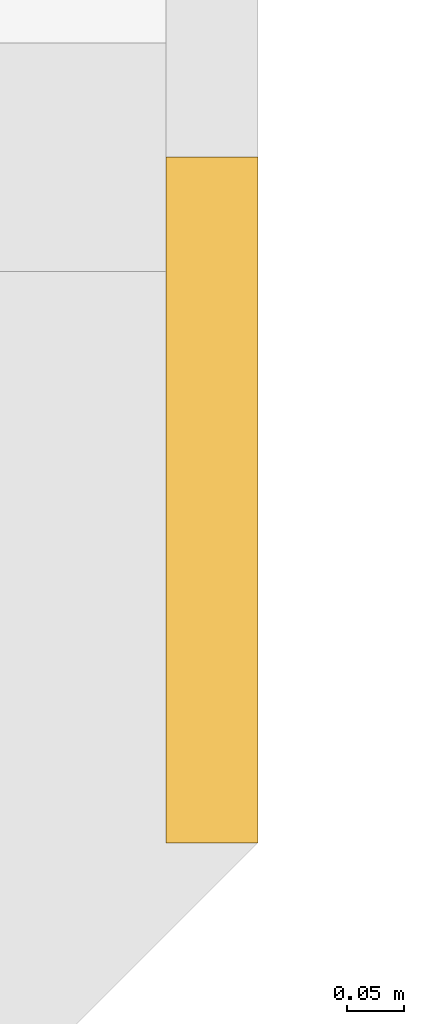
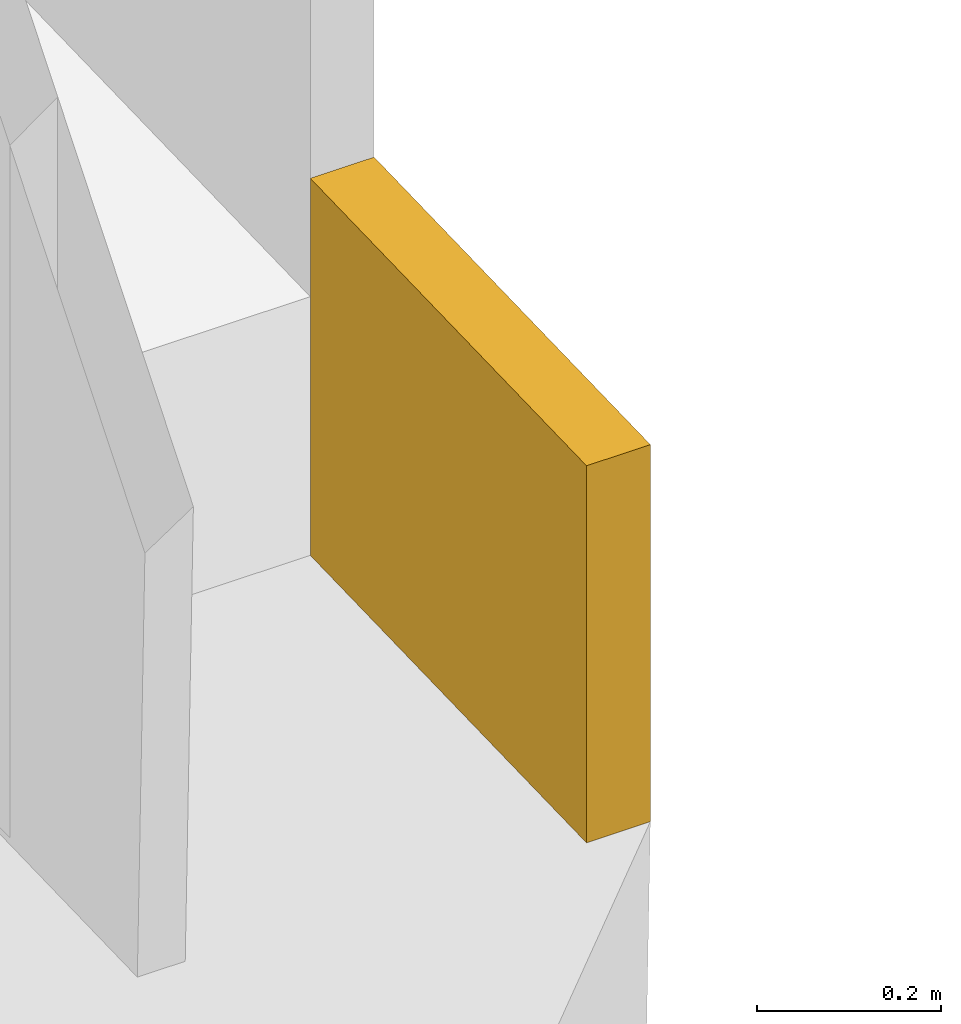
# One storey, part 29 of 29: 1 covering.
"""IFC4 building model written with IfcOpenShell, lengths in metres."""

import ifcopenshell
import ifcopenshell.guid

model = None  # the IFC model being written
_history = None  # IfcOwnerHistory: only IFC2X3 demands one
_inside = {}  # id of a spatial element -> (the spatial element, [elements in it])
_under = {}  # id of a project, library or spatial element -> (it, [spatial elements below it])
_declared = {}  # id of a project -> (the project, [libraries it declares])
_typed = {}  # id of a type object -> (the type object, [elements of that type])
_made_of = {}  # id of a material, layer set ... -> (it, [elements and type objects made of it])


def new_model(schema):
    """Start an empty IFC model of exactly this schema.

    Asked for "IFC4X3", IfcOpenShell would pick the latest addendum, in which some entities
    have other attributes; the version numbers below select the first issue.
    IFC2X3 requires an IfcOwnerHistory on every rooted entity: one is made here for all.
    """
    global model, _history
    if schema == "IFC4X3":
        model = ifcopenshell.file(schema_version=(4, 3, 0, 0))
    else:
        model = ifcopenshell.file(schema=schema)
    _inside.clear()
    _under.clear()
    _declared.clear()
    _typed.clear()
    _made_of.clear()
    _history = None
    if model.schema == "IFC2X3":
        org = make("IfcOrganization", Name="unknown")
        user = make(
            "IfcPersonAndOrganization",
            ThePerson=make("IfcPerson", FamilyName="unknown"),
            TheOrganization=org,
        )
        app = make(
            "IfcApplication",
            ApplicationDeveloper=org,
            Version="unknown",
            ApplicationFullName="unknown",
            ApplicationIdentifier="unknown",
        )
        _history = make(
            "IfcOwnerHistory",
            OwningUser=user,
            OwningApplication=app,
            ChangeAction="ADDED",
            CreationDate=0,
        )
    return model


def make(cls, **values):
    """One entity of the class cls with the attributes given. An attribute that is None is left unset."""
    return model.create_entity(
        cls, **{name: value for name, value in values.items() if value is not None}
    )


def rooted(cls, **values):
    """An entity with a GlobalId (a new one), such as an element, a storey or a relation."""
    return make(cls, GlobalId=ifcopenshell.guid.new(), OwnerHistory=_history, **values)


def si_unit(unit_type, name, prefix=None):
    """IfcSIUnit, for example si_unit("LENGTHUNIT", "METRE", prefix="MILLI")."""
    return make("IfcSIUnit", UnitType=unit_type, Prefix=prefix, Name=name)


def assignment(units):
    """IfcUnitAssignment: the units of a project."""
    return None if units is None else make("IfcUnitAssignment", Units=units)


def point(xyz):
    """IfcCartesianPoint."""
    return None if xyz is None else make("IfcCartesianPoint", Coordinates=xyz)


def direction(xyz):
    """IfcDirection."""
    return None if xyz is None else make("IfcDirection", DirectionRatios=xyz)


def frame(location, z_axis=None, x_axis=None):
    """IfcAxis2Placement3D, a coordinate frame: its origin and axes. An axis left out is left unset."""
    return make(
        "IfcAxis2Placement3D",
        Location=point(location),
        Axis=direction(z_axis),
        RefDirection=direction(x_axis),
    )


def origin():
    """The frame at (0, 0, 0) with its axes left unset."""
    return frame((0.0, 0.0, 0.0))


def place(relative_to, where):
    """IfcLocalPlacement: puts the frame where relative to a parent placement (None: the world)."""
    return make(
        "IfcLocalPlacement", PlacementRelTo=relative_to, RelativePlacement=where
    )


def context(
    kind, dimensions, precision=None, world=None, true_north=None, identifier=None
):
    """IfcGeometricRepresentationContext, for example the 3D "Model" context."""
    return make(
        "IfcGeometricRepresentationContext",
        ContextIdentifier=identifier,
        ContextType=kind,
        CoordinateSpaceDimension=dimensions,
        Precision=precision,
        WorldCoordinateSystem=world,
        TrueNorth=true_north,
    )


def subcontext(parent, identifier, kind, view, scale=None):
    """IfcGeometricRepresentationSubContext, for example "Body" below "Model"."""
    return make(
        "IfcGeometricRepresentationSubContext",
        ContextIdentifier=identifier,
        ContextType=kind,
        ParentContext=parent,
        TargetScale=scale,
        TargetView=view,
    )


def project(units=None, contexts=None):
    """IfcProject with its units and contexts."""
    return rooted(
        "IfcProject",
        Name="project",
        RepresentationContexts=contexts,
        UnitsInContext=assignment(units),
    )


def spatial(cls, under=None, at=None, **own):
    """A site, building, storey or space (cls), placed at a placement, below another one or the project."""
    s = rooted(cls, ObjectPlacement=at, **own)
    if under is not None:
        _under.setdefault(under.id(), (under, []))[1].append(s)
    return s


def polyline(points):
    """IfcPolyline through the points."""
    return make("IfcPolyline", Points=[point(p) for p in points])


def outline(outer, holes=None, kind="AREA"):
    """IfcArbitraryClosedProfileDef: a profile drawn as a closed curve; with holes, ...WithVoids."""
    if holes is None:
        return make("IfcArbitraryClosedProfileDef", ProfileType=kind, OuterCurve=outer)
    return make(
        "IfcArbitraryProfileDefWithVoids",
        ProfileType=kind,
        OuterCurve=outer,
        InnerCurves=holes,
    )


def extrude(swept, where, along, depth):
    """IfcExtrudedAreaSolid: the profile swept, set in the frame where, extruded along a direction by depth."""
    return make(
        "IfcExtrudedAreaSolid",
        SweptArea=swept,
        Position=where,
        ExtrudedDirection=direction(along),
        Depth=depth,
    )


def shape(context_of_items, identifier, shape_type, items):
    """IfcShapeRepresentation: the items that make up one representation, for example the "Body"."""
    return make(
        "IfcShapeRepresentation",
        ContextOfItems=context_of_items,
        RepresentationIdentifier=identifier,
        RepresentationType=shape_type,
        Items=items,
    )


def material(Name=None, Category=None):
    """IfcMaterial."""
    return make("IfcMaterial", Name=Name, Category=Category)


def layer(
    of_material, thickness, ventilated=None, Name=None, Category=None, Priority=None
):
    """IfcMaterialLayer: one layer of a wall or slab, of a material (None: an air gap)."""
    return make(
        "IfcMaterialLayer",
        Material=of_material,
        LayerThickness=thickness,
        IsVentilated=ventilated,
        Name=Name,
        Category=Category,
        Priority=Priority,
    )


def layer_set(layers, Name=None):
    """IfcMaterialLayerSet."""
    return make("IfcMaterialLayerSet", MaterialLayers=layers, LayerSetName=Name)


def made_of(thing, what):
    """Note that an element or type object is made of a material, layer set ...; save() writes the relation."""
    if what is not None:
        _made_of.setdefault(what.id(), (what, []))[1].append(thing)
    return thing


def type_object(cls, material=None, **own):
    """A type object (cls), such as IfcWallType, which elements share."""
    return made_of(rooted(cls, **own), material)


def element(
    cls,
    number,
    at=None,
    inside=None,
    cuts=None,
    type_object=None,
    material=None,
    context=None,
    identifier="Body",
    shape_type=None,
    held_by="IfcProductDefinitionShape",
    body=None,
    shapes=None,
    **own,
):
    """One element of the class cls, such as IfcWall. Its Tag is "e" and its number.

    at: its placement. inside: the storey or other place that contains it. cuts: it is an
    opening in that element (IfcRelVoidsElement). A single representation is given by context,
    identifier, shape_type and body (its items); several are given by shapes. held_by: the class
    of the entity that holds the representations. save() writes the other relations.
    """
    e = rooted(cls, Tag="e%d" % number, ObjectPlacement=at, **own)
    if body is not None:
        shapes = [shape(context, identifier, shape_type, body)]
    if shapes is not None:
        e.Representation = make(held_by, Representations=shapes)
    if inside is not None:
        _inside.setdefault(inside.id(), (inside, []))[1].append(e)
    if cuts is not None:
        rooted(
            "IfcRelVoidsElement", RelatingBuildingElement=cuts, RelatedOpeningElement=e
        )
    if type_object is not None:
        _typed.setdefault(type_object.id(), (type_object, []))[1].append(e)
    return made_of(e, material)


def aggregate(whole, parts):
    """IfcRelAggregates: a whole, such as a stair, and the parts it consists of."""
    return rooted("IfcRelAggregates", RelatingObject=whole, RelatedObjects=parts)


def save(model, path):
    """Write the relations noted so far, then the file.

    IfcRelAggregates (storeys below a building ...), IfcRelContainedInSpatialStructure (elements
    in a storey), IfcRelDefinesByType, IfcRelAssociatesMaterial and IfcRelDeclares: one each for
    every whole, place, type object, material and project.
    """
    for whole, parts in _under.values():
        aggregate(whole, parts)
    for where, things in _inside.values():
        rooted(
            "IfcRelContainedInSpatialStructure",
            RelatedElements=things,
            RelatingStructure=where,
        )
    for kind, things in _typed.values():
        rooted("IfcRelDefinesByType", RelatedObjects=things, RelatingType=kind)
    for what, things in _made_of.values():
        rooted("IfcRelAssociatesMaterial", RelatedObjects=things, RelatingMaterial=what)
    for by, libraries in _declared.values():
        rooted("IfcRelDeclares", RelatingContext=by, RelatedDefinitions=libraries)
    model.write(path)


model = new_model("IFC4")

# Units and contexts
model_context = context("Model", 3, precision=1e-05, world=origin(), true_north=direction((0.0, 1.0)))
body_context = subcontext(model_context, "Body", "Model", "MODEL_VIEW")
ifc_project = project(units=[si_unit("LENGTHUNIT", "METRE"), si_unit("AREAUNIT", "SQUARE_METRE"), si_unit("VOLUMEUNIT", "CUBIC_METRE"), si_unit("PLANEANGLEUNIT", "RADIAN"), si_unit("MASSUNIT", "GRAM", prefix="KILO")], contexts=[model_context])

# Site, building, storey
site_placement = place(None, origin())
site = spatial("IfcSite", under=ifc_project, at=site_placement, CompositionType="ELEMENT")
building_placement = place(site_placement, origin())
building = spatial("IfcBuilding", under=site, at=building_placement, Name="Saffron Gate Tower", CompositionType="ELEMENT")
storey_placement = place(building_placement, frame((0.0, 0.0, 227.10009765625)))
storey = spatial("IfcBuildingStorey", under=building, at=storey_placement, Name="L55", CompositionType="ELEMENT", Elevation=227.10009765625)

# Covering
ifc_material = material(Name="Timber, thermally modified ash", Category="wood")
ifc_layer = layer(ifc_material, 0.080078125)
ifc_layer_set = layer_set([ifc_layer], Name="LD2 ledge planter trough")
covering_type = type_object("IfcCoveringType", Name="LD2 ledge planter trough", PredefinedType="CLADDING", material=ifc_layer_set)
covering_placement = place(storey_placement, frame((124.800048828125, 73.199951171875, 0.0595703125), z_axis=(1.0, 0.0, 0.0), x_axis=(0.0, 0.999583081391, 0.028873229772)))
element("IfcCovering", 1, at=covering_placement, inside=storey, type_object=covering_type, Name="LEDGE planter trough", PredefinedType="CLADDING", context=body_context, shape_type="SweptSolid", body=[
    extrude(outline(polyline([(0.0, 0.0), (0.6003479524834376, -3.469446951953614e-18), (0.6147845673692678, 0.4997915406953566), (0.014436614885830073, 0.4997915406953566), (0.0, 0.0)])), origin(), (0.0, 0.0, -1.0), 0.080078125),
])

save(model, "model.ifc")
